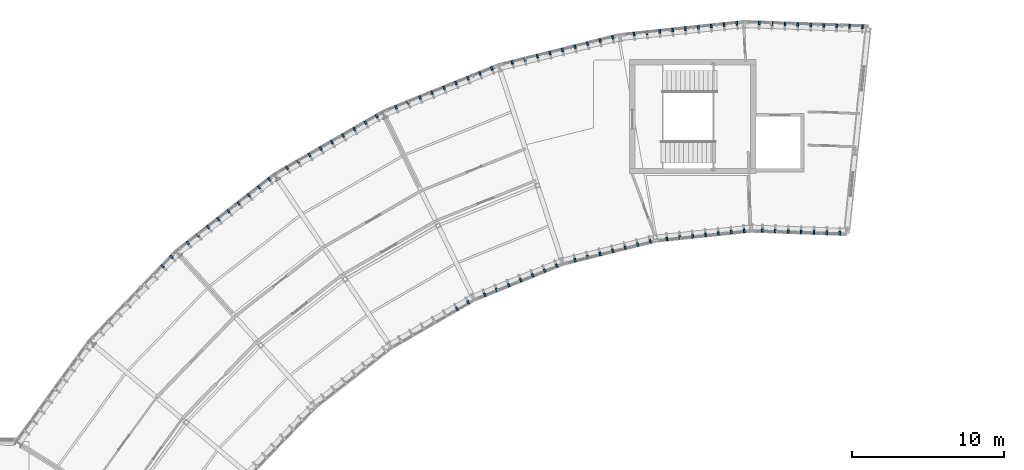
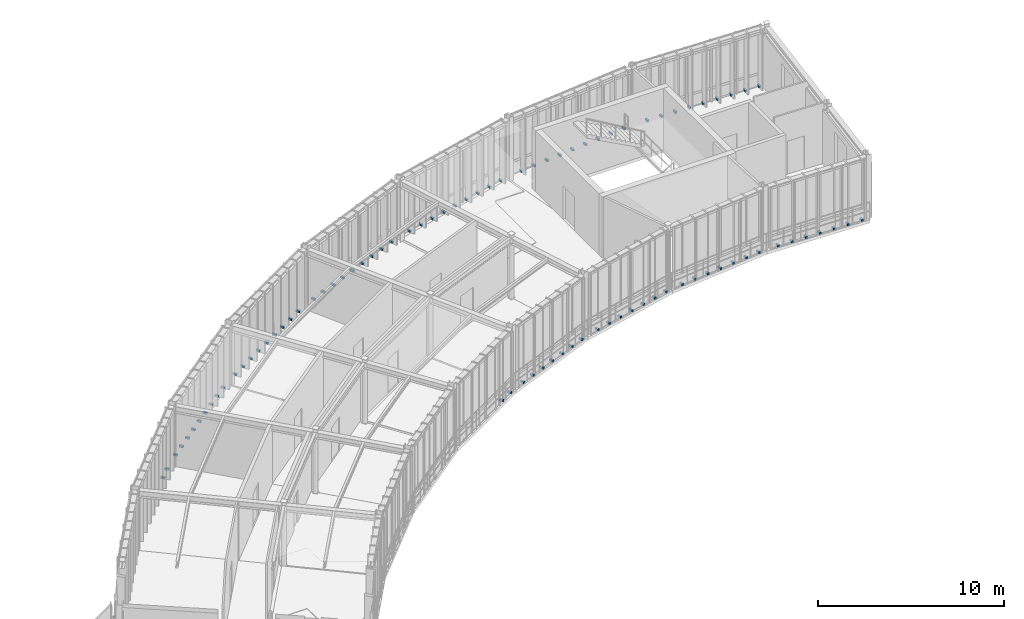
# One storey, part 45 of 52: 86 discrete accessories.
"""IFC4 building model written with IfcOpenShell, lengths in metres."""

from ifc_helpers import new_model, si_unit, direction, frame, origin, origin_2d, place, context, subcontext, project, spatial, rectangle, extrude, material, type_object, element, save


model = new_model("IFC4")

# Units and contexts
model_context = context("Model", 3, precision=1e-05, world=origin(), true_north=direction((0.0, 1.0)))
body_context = subcontext(model_context, "Body", "Model", "MODEL_VIEW")
ifc_project = project(units=[si_unit("LENGTHUNIT", "METRE"), si_unit("AREAUNIT", "SQUARE_METRE"), si_unit("VOLUMEUNIT", "CUBIC_METRE"), si_unit("PLANEANGLEUNIT", "RADIAN"), si_unit("MASSUNIT", "GRAM", prefix="KILO"), si_unit("THERMODYNAMICTEMPERATUREUNIT", "KELVIN"), si_unit("POWERUNIT", "WATT")], contexts=[model_context])

# Site, building, storey
site_placement = place(None, origin())
site = spatial("IfcSite", under=ifc_project, at=site_placement, CompositionType="ELEMENT")
building_placement = place(site_placement, origin())
building = spatial("IfcBuilding", under=site, at=building_placement, Name="Solvatero Civic Police Headquarters", CompositionType="ELEMENT")
storey_placement = place(building_placement, frame((0.0, 0.0, 13.5)))
storey = spatial("IfcBuildingStorey", under=building, at=storey_placement, Name="L03", CompositionType="ELEMENT", Elevation=13.5)

# Discrete accessories
ifc_material = material(Name="Steel S355", Category="steel")
discrete_accessory_type = type_object("IfcDiscreteAccessoryType", Name="ACC-BRK-FIN", PredefinedType="BRACKET", material=ifc_material)
for number, where, z_axis, x_axis, name in (
    (1, (99.760498046875, 84.52099609375, 0.0), (0.0, 0.0, 1.0), (-0.999390217756, 0.034916939358, 0.0), "Slab-Edge Fin Bracket 0567"),
    (2, (98.9111328125, 84.55078125, 0.0), (0.0, 0.0, 1.0), (-0.999390217756, 0.034916939358, 0.0), "Slab-Edge Fin Bracket 0568"),
    (3, (98.0615234375, 84.580322265625, 0.0), (0.0, 0.0, 1.0), (-0.999390217756, 0.034916939358, 0.0), "Slab-Edge Fin Bracket 0569"),
    (4, (97.212158203125, 84.610107421875, 0.0), (0.0, 0.0, 1.0), (-0.999390217756, 0.034916939358, 0.0), "Slab-Edge Fin Bracket 0570"),
    (5, (96.362548828125, 84.639892578125, 0.0), (0.0, 0.0, 1.0), (-0.999390217756, 0.034916939358, 0.0), "Slab-Edge Fin Bracket 0571"),
    (6, (95.51318359375, 84.66943359375, 0.0), (0.0, 0.0, 1.0), (-0.999390217756, 0.034916939358, 0.0), "Slab-Edge Fin Bracket 0572"),
    (7, (94.663818359375, 84.69921875, 0.0), (0.0, 0.0, 1.0), (-0.999390217756, 0.034916939358, 0.0), "Slab-Edge Fin Bracket 0573"),
    (8, (93.814208984375, 84.728759765625, 0.0), (0.0, 0.0, 1.0), (-0.999390217756, 0.034916939358, 0.0), "Slab-Edge Fin Bracket 0574"),
    (9, (92.964599609375, 84.75830078125, 0.0), (0.0, 0.0, 1.0), (-0.999390217756, 0.034916939358, 0.0), "Slab-Edge Fin Bracket 0575"),
    (10, (98.26953125, 70.9384765625, 0.0), (0.0, 0.0, 1.0), (-0.999390827019, 0.034899496703, 0.0), "Slab-Edge Fin Bracket 0576"),
    (11, (97.419921875, 70.968017578125, 0.0), (0.0, 0.0, 1.0), (-0.999390827019, 0.034899496703, 0.0), "Slab-Edge Fin Bracket 0577"),
    (12, (96.570556640625, 70.997802734375, 0.0), (0.0, 0.0, 1.0), (-0.999390827019, 0.034899496703, 0.0), "Slab-Edge Fin Bracket 0578"),
    (13, (95.720947265625, 71.02734375, 0.0), (0.0, 0.0, 1.0), (-0.999390827019, 0.034899496703, 0.0), "Slab-Edge Fin Bracket 0579"),
    (14, (94.87158203125, 71.05712890625, 0.0), (0.0, 0.0, 1.0), (-0.999390827019, 0.034899496703, 0.0), "Slab-Edge Fin Bracket 0580"),
    (15, (94.022216796875, 71.0869140625, 0.0), (0.0, 0.0, 1.0), (-0.999390827019, 0.034899496703, 0.0), "Slab-Edge Fin Bracket 0581"),
    (16, (93.172607421875, 71.116455078125, 0.0), (0.0, 0.0, 1.0), (-0.999390827019, 0.034899496703, 0.0), "Slab-Edge Fin Bracket 0582"),
    (17, (91.49658203125, 84.74658203125, 0.0), (0.0, 0.0, 1.0), (-0.994523719583, -0.10451110557, 0.0), "Slab-Edge Fin Bracket 0583"),
    (18, (90.6513671875, 84.65771484375, 0.0), (0.0, 0.0, 1.0), (-0.994523719583, -0.10451110557, 0.0), "Slab-Edge Fin Bracket 0584"),
    (19, (89.805908203125, 84.569091796875, 0.0), (0.0, 0.0, 1.0), (-0.994523719583, -0.10451110557, 0.0), "Slab-Edge Fin Bracket 0585"),
    (20, (88.960693359375, 84.47998046875, 0.0), (0.0, 0.0, 1.0), (-0.994523719583, -0.10451110557, 0.0), "Slab-Edge Fin Bracket 0586"),
    (21, (88.115234375, 84.391357421875, 0.0), (0.0, 0.0, 1.0), (-0.994523719583, -0.10451110557, 0.0), "Slab-Edge Fin Bracket 0587"),
    (22, (87.27001953125, 84.302490234375, 0.0), (0.0, 0.0, 1.0), (-0.994523719583, -0.10451110557, 0.0), "Slab-Edge Fin Bracket 0588"),
    (23, (86.4248046875, 84.213623046875, 0.0), (0.0, 0.0, 1.0), (-0.994523719583, -0.10451110557, 0.0), "Slab-Edge Fin Bracket 0589"),
    (24, (85.579345703125, 84.124755859375, 0.0), (0.0, 0.0, 1.0), (-0.994523719583, -0.10451110557, 0.0), "Slab-Edge Fin Bracket 0590"),
    (25, (84.73388671875, 84.035888671875, 0.0), (0.0, 0.0, 1.0), (-0.994523719583, -0.10451110557, 0.0), "Slab-Edge Fin Bracket 0591"),
    (26, (91.9736328125, 71.09521484375, 0.0), (0.0, 0.0, 1.0), (-0.994521895368, -0.104528463268, 0.0), "Slab-Edge Fin Bracket 0592"),
    (27, (91.12841796875, 71.006591796875, 0.0), (0.0, 0.0, 1.0), (-0.994521895368, -0.104528463268, 0.0), "Slab-Edge Fin Bracket 0593"),
    (28, (90.282958984375, 70.91748046875, 0.0), (0.0, 0.0, 1.0), (-0.994521895368, -0.104528463268, 0.0), "Slab-Edge Fin Bracket 0594"),
    (29, (89.4375, 70.828857421875, 0.0), (0.0, 0.0, 1.0), (-0.994521895368, -0.104528463268, 0.0), "Slab-Edge Fin Bracket 0595"),
    (30, (88.59228515625, 70.739990234375, 0.0), (0.0, 0.0, 1.0), (-0.994521895368, -0.104528463268, 0.0), "Slab-Edge Fin Bracket 0596"),
    (31, (87.7470703125, 70.651123046875, 0.0), (0.0, 0.0, 1.0), (-0.994521895368, -0.104528463268, 0.0), "Slab-Edge Fin Bracket 0597"),
    (32, (86.901611328125, 70.562255859375, 0.0), (0.0, 0.0, 1.0), (-0.994521895368, -0.104528463268, 0.0), "Slab-Edge Fin Bracket 0598"),
    (33, (83.32080078125, 83.820556640625, 0.0), (0.0, 0.0, 1.0), (-0.970295726276, -0.2419218956, 0.0), "Slab-Edge Fin Bracket 0599"),
    (34, (82.49609375, 83.614990234375, 0.0), (0.0, 0.0, 1.0), (-0.970295726276, -0.2419218956, 0.0), "Slab-Edge Fin Bracket 0600"),
    (35, (81.67138671875, 83.4091796875, 0.0), (0.0, 0.0, 1.0), (-0.970295726276, -0.2419218956, 0.0), "Slab-Edge Fin Bracket 0601"),
    (36, (80.8466796875, 83.20361328125, 0.0), (0.0, 0.0, 1.0), (-0.970295726276, -0.2419218956, 0.0), "Slab-Edge Fin Bracket 0602"),
    (37, (80.02197265625, 82.998046875, 0.0), (0.0, 0.0, 1.0), (-0.970295726276, -0.2419218956, 0.0), "Slab-Edge Fin Bracket 0603"),
    (38, (79.197265625, 82.79248046875, 0.0), (0.0, 0.0, 1.0), (-0.970295726276, -0.2419218956, 0.0), "Slab-Edge Fin Bracket 0604"),
    (39, (78.372314453125, 82.5869140625, 0.0), (0.0, 0.0, 1.0), (-0.970295726276, -0.2419218956, 0.0), "Slab-Edge Fin Bracket 0605"),
    (40, (77.547607421875, 82.381103515625, 0.0), (0.0, 0.0, 1.0), (-0.970295726276, -0.2419218956, 0.0), "Slab-Edge Fin Bracket 0606"),
    (41, (76.722900390625, 82.175537109375, 0.0), (0.0, 0.0, 1.0), (-0.970295726276, -0.2419218956, 0.0), "Slab-Edge Fin Bracket 0607"),
    (42, (85.80322265625, 70.395751953125, 0.0), (0.0, 0.0, 1.0), (-0.970299948462, -0.241904960708, 0.0), "Slab-Edge Fin Bracket 0608"),
    (43, (84.978515625, 70.190185546875, 0.0), (0.0, 0.0, 1.0), (-0.970299948462, -0.241904960708, 0.0), "Slab-Edge Fin Bracket 0609"),
    (44, (84.15380859375, 69.984619140625, 0.0), (0.0, 0.0, 1.0), (-0.970299948462, -0.241904960708, 0.0), "Slab-Edge Fin Bracket 0610"),
    (45, (83.3291015625, 69.77880859375, 0.0), (0.0, 0.0, 1.0), (-0.970299948462, -0.241904960708, 0.0), "Slab-Edge Fin Bracket 0611"),
    (46, (82.504150390625, 69.5732421875, 0.0), (0.0, 0.0, 1.0), (-0.970299948462, -0.241904960708, 0.0), "Slab-Edge Fin Bracket 0612"),
    (47, (81.679443359375, 69.36767578125, 0.0), (0.0, 0.0, 1.0), (-0.970299948462, -0.241904960708, 0.0), "Slab-Edge Fin Bracket 0613"),
    (48, (80.854736328125, 69.162109375, 0.0), (0.0, 0.0, 1.0), (-0.970299948462, -0.241904960708, 0.0), "Slab-Edge Fin Bracket 0614"),
    (49, (75.3779296875, 81.771484375, 0.0), (0.0, 0.0, 1.0), (-0.927190392544, -0.374590410948, 0.0), "Slab-Edge Fin Bracket 0615"),
    (50, (74.58984375, 81.453125, 0.0), (0.0, 0.0, 1.0), (-0.927190392544, -0.374590410948, 0.0), "Slab-Edge Fin Bracket 0616"),
    (51, (73.8017578125, 81.134765625, 0.0), (0.0, 0.0, 1.0), (-0.927190392544, -0.374590410948, 0.0), "Slab-Edge Fin Bracket 0617"),
    (52, (73.013671875, 80.81640625, 0.0), (0.0, 0.0, 1.0), (-0.927190392544, -0.374590410948, 0.0), "Slab-Edge Fin Bracket 0618"),
    (53, (72.2255859375, 80.498046875, 0.0), (0.0, 0.0, 1.0), (-0.927190392544, -0.374590410948, 0.0), "Slab-Edge Fin Bracket 0619"),
    (54, (71.4375, 80.1796875, 0.0), (0.0, 0.0, 1.0), (-0.927190392544, -0.374590410948, 0.0), "Slab-Edge Fin Bracket 0620"),
    (55, (70.6494140625, 79.861083984375, 0.0), (0.0, 0.0, 1.0), (-0.927190392544, -0.374590410948, 0.0), "Slab-Edge Fin Bracket 0621"),
    (56, (69.861083984375, 79.542724609375, 0.0), (0.0, 0.0, 1.0), (-0.927190392544, -0.374590410948, 0.0), "Slab-Edge Fin Bracket 0622"),
    (57, (69.072998046875, 79.224365234375, 0.0), (0.0, 0.0, 1.0), (-0.927190392544, -0.374590410948, 0.0), "Slab-Edge Fin Bracket 0623"),
    (58, (79.645263671875, 68.79931640625, 0.0), (0.0, 0.0, 1.0), (-0.927183854567, -0.374606593416, 0.0), "Slab-Edge Fin Bracket 0624"),
    (59, (78.857177734375, 68.480712890625, 0.0), (0.0, 0.0, 1.0), (-0.927183854567, -0.374606593416, 0.0), "Slab-Edge Fin Bracket 0625"),
    (60, (78.069091796875, 68.162353515625, 0.0), (0.0, 0.0, 1.0), (-0.927183854567, -0.374606593416, 0.0), "Slab-Edge Fin Bracket 0626"),
    (61, (77.281005859375, 67.843994140625, 0.0), (0.0, 0.0, 1.0), (-0.927183854567, -0.374606593416, 0.0), "Slab-Edge Fin Bracket 0627"),
    (62, (76.492919921875, 67.525634765625, 0.0), (0.0, 0.0, 1.0), (-0.927183854567, -0.374606593416, 0.0), "Slab-Edge Fin Bracket 0628"),
    (63, (75.704833984375, 67.207275390625, 0.0), (0.0, 0.0, 1.0), (-0.927183854567, -0.374606593416, 0.0), "Slab-Edge Fin Bracket 0629"),
    (64, (74.916748046875, 66.888671875, 0.0), (0.0, 0.0, 1.0), (-0.927183854567, -0.374606593416, 0.0), "Slab-Edge Fin Bracket 0630"),
    (65, (67.797119140625, 78.63720703125, 0.0), (0.0, 0.0, 1.0), (-0.866034130299, -0.499984884929, 0.0), "Slab-Edge Fin Bracket 0631"),
    (66, (67.06103515625, 78.212158203125, 0.0), (0.0, 0.0, 1.0), (-0.866034130299, -0.499984884929, 0.0), "Slab-Edge Fin Bracket 0632"),
    (67, (66.324951171875, 77.787109375, 0.0), (0.0, 0.0, 1.0), (-0.866034130299, -0.499984884929, 0.0), "Slab-Edge Fin Bracket 0633"),
    (68, (65.588623046875, 77.362060546875, 0.0), (0.0, 0.0, 1.0), (-0.866034130299, -0.499984884929, 0.0), "Slab-Edge Fin Bracket 0634"),
    (69, (64.8525390625, 76.93701171875, 0.0), (0.0, 0.0, 1.0), (-0.866034130299, -0.499984884929, 0.0), "Slab-Edge Fin Bracket 0635"),
    (70, (64.116455078125, 76.51220703125, 0.0), (0.0, 0.0, 1.0), (-0.866034130299, -0.499984884929, 0.0), "Slab-Edge Fin Bracket 0636"),
    (71, (63.38037109375, 76.087158203125, 0.0), (0.0, 0.0, 1.0), (-0.866034130299, -0.499984884929, 0.0), "Slab-Edge Fin Bracket 0637"),
    (72, (62.644287109375, 75.662109375, 0.0), (0.0, 0.0, 1.0), (-0.866034130299, -0.499984884929, 0.0), "Slab-Edge Fin Bracket 0638"),
    (73, (61.908203125, 75.237060546875, 0.0), (0.0, 0.0, 1.0), (-0.866034130299, -0.499984884929, 0.0), "Slab-Edge Fin Bracket 0639"),
    (74, (73.82861328125, 66.385009765625, 0.0), (0.0, 0.0, 1.0), (-0.866025403784, -0.5, 0.0), "Slab-Edge Fin Bracket 0640"),
    (75, (73.092529296875, 65.9599609375, 0.0), (0.0, 0.0, 1.0), (-0.866025403784, -0.5, 0.0), "Slab-Edge Fin Bracket 0641"),
    (76, (60.7265625, 74.478271484375, 0.0), (0.0, 0.0, 1.0), (-0.788021498807, -0.61564772185, 0.0), "Slab-Edge Fin Bracket 0647"),
    (77, (60.056640625, 73.954833984375, 0.0), (0.0, 0.0, 1.0), (-0.788021498807, -0.61564772185, 0.0), "Slab-Edge Fin Bracket 0648"),
    (78, (59.386962890625, 73.431396484375, 0.0), (0.0, 0.0, 1.0), (-0.788021498807, -0.61564772185, 0.0), "Slab-Edge Fin Bracket 0649"),
    (79, (58.717041015625, 72.908203125, 0.0), (0.0, 0.0, 1.0), (-0.788021498807, -0.61564772185, 0.0), "Slab-Edge Fin Bracket 0650"),
    (80, (58.047119140625, 72.385009765625, 0.0), (0.0, 0.0, 1.0), (-0.788021498807, -0.61564772185, 0.0), "Slab-Edge Fin Bracket 0651"),
    (81, (57.37744140625, 71.861572265625, 0.0), (0.0, 0.0, 1.0), (-0.788021498807, -0.61564772185, 0.0), "Slab-Edge Fin Bracket 0652"),
    (82, (56.70751953125, 71.33837890625, 0.0), (0.0, 0.0, 1.0), (-0.788021498807, -0.61564772185, 0.0), "Slab-Edge Fin Bracket 0653"),
    (83, (56.037841796875, 70.81494140625, 0.0), (0.0, 0.0, 1.0), (-0.788021498807, -0.61564772185, 0.0), "Slab-Edge Fin Bracket 0654"),
    (84, (55.367919921875, 70.291748046875, 0.0), (0.0, 0.0, 1.0), (-0.788021498807, -0.61564772185, 0.0), "Slab-Edge Fin Bracket 0655"),
    (85, (54.30322265625, 69.37548828125, 0.0), (0.0, 0.0, 1.0), (-0.694645815505, -0.719351924305, 0.0), "Slab-Edge Fin Bracket 0663"),
    (86, (53.712890625, 68.76416015625, 0.0), (0.0, 0.0, 1.0), (-0.694645815505, -0.719351924305, 0.0), "Slab-Edge Fin Bracket 0664"),
):
    element("IfcDiscreteAccessory", number, at=place(storey_placement, frame(where, z_axis=z_axis, x_axis=x_axis)), inside=storey, type_object=discrete_accessory_type, Name=name, PredefinedType="BRACKET", context=body_context, shape_type="SweptSolid", body=[
        extrude(rectangle(XDim=0.1201171875, YDim=0.239990234375, at=origin_2d()), origin(), (0.0, 0.0, 1.0), 0.1201171875),
    ])

save(model, "model.ifc")
